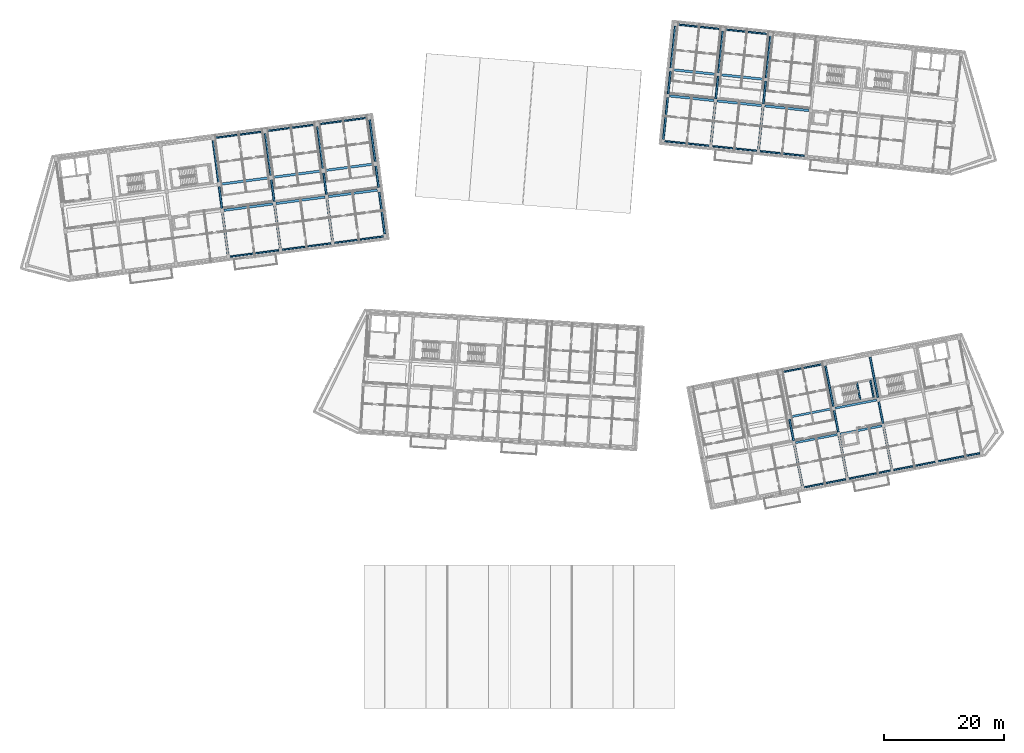
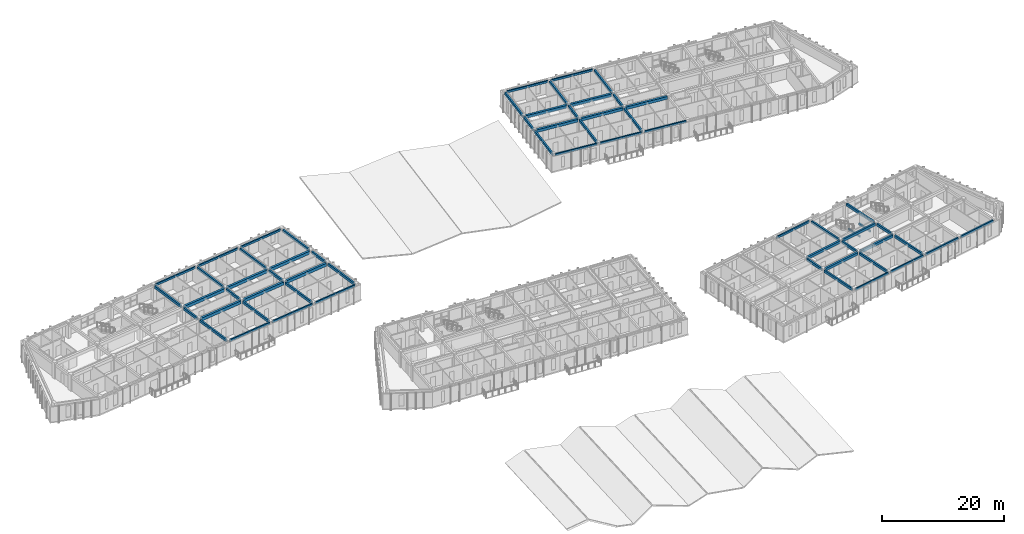
# One storey, part 8 of 74: 62 beams.
"""IFC4 building model written with IfcOpenShell, lengths in metres."""

from ifc_helpers import new_model, si_unit, direction, frame, origin, origin_2d, place, context, subcontext, project, spatial, rectangle, extrude, material, material_profile, profile_set, type_object, element, save


model = new_model("IFC4")

# Units and contexts
model_context = context("Model", 3, precision=1e-05, world=origin(), true_north=direction((0.0, 1.0)))
body_context = subcontext(model_context, "Body", "Model", "MODEL_VIEW")
ifc_project = project(units=[si_unit("LENGTHUNIT", "METRE"), si_unit("AREAUNIT", "SQUARE_METRE"), si_unit("VOLUMEUNIT", "CUBIC_METRE"), si_unit("PLANEANGLEUNIT", "RADIAN"), si_unit("MASSUNIT", "GRAM", prefix="KILO")], contexts=[model_context])

# Site, building, storey
site_placement = place(None, origin())
site = spatial("IfcSite", under=ifc_project, at=site_placement, CompositionType="ELEMENT")
building_placement = place(site_placement, origin())
building = spatial("IfcBuilding", under=site, at=building_placement, Name="Kestramere Prow Commons", CompositionType="ELEMENT")
storey_placement = place(building_placement, frame((0.0, 0.0, 11.64990234375)))
storey = spatial("IfcBuildingStorey", under=building, at=storey_placement, Name="L03", CompositionType="ELEMENT", Elevation=11.64990234375)

# Beams
ifc_material_1 = material(Name="Precast concrete C40/50", Category="concrete")
ifc_material_profile_1 = material_profile(ifc_material_1, rectangle(XDim=0.39990234375, YDim=0.60009765625, at=origin_2d()), Name="PC-BM 400x600")
ifc_profile_set_1 = profile_set([ifc_material_profile_1], Name="Precast concrete C40/50")
beam_type_1 = type_object("IfcBeamType", Name="BM-A1 PC-BM 400x600", PredefinedType="BEAM", material=ifc_profile_set_1)
beam_1_placement = place(storey_placement, frame((36.628662109375, 83.215087890625, 2.7001953125), z_axis=(0.991443917843, 0.130533358852, 0.0), x_axis=(-0.130533358852, 0.991443917843, 0.0)))
element("IfcBeam", 1, at=beam_1_placement, inside=storey, type_object=beam_type_1, Name="Block A L03 Longitudinal Beam 2-4", PredefinedType="BEAM", context=body_context, shape_type="SweptSolid", body=[
    extrude(rectangle(XDim=0.39990234375, YDim=0.60009765625, at=origin_2d()), origin(), (0.0, 0.0, 1.0), 8.25),
])
beam_2_placement = place(storey_placement, frame((45.353515625, 84.36376953125, 2.7001953125), z_axis=(0.991447243185, 0.130508099291, 0.0), x_axis=(-0.130508099291, 0.991447243185, 0.0)))
element("IfcBeam", 2, at=beam_2_placement, inside=storey, type_object=beam_type_1, Name="Block A L03 Longitudinal Beam 2-5", PredefinedType="BEAM", context=body_context, shape_type="SweptSolid", body=[
    extrude(rectangle(XDim=0.39990234375, YDim=0.60009765625, at=origin_2d()), origin(), (0.0, 0.0, 1.0), 8.249755859375),
])
for number, where, z_axis, x_axis, name in (
    (3, (54.078125, 85.51220703125, 2.7001953125), (0.991443917843, 0.130533358852, 0.0), (-0.130533358852, 0.991443917843, 0.0), "Block A L03 Longitudinal Beam 2-6"),
    (4, (36.054443359375, 87.577392578125, 2.7001953125), (0.991443917843, 0.130533358852, 0.0), (-0.130533358852, 0.991443917843, 0.0), "Block A L03 Longitudinal Beam 3-4"),
    (5, (44.779052734375, 88.72607421875, 2.7001953125), (0.991443917843, 0.130533358852, 0.0), (-0.130533358852, 0.991443917843, 0.0), "Block A L03 Longitudinal Beam 3-5"),
):
    element("IfcBeam", number, at=place(storey_placement, frame(where, z_axis=z_axis, x_axis=x_axis)), inside=storey, type_object=beam_type_1, Name=name, PredefinedType="BEAM", context=body_context, shape_type="SweptSolid", body=[
        extrude(rectangle(XDim=0.39990234375, YDim=0.60009765625, at=origin_2d()), origin(), (0.0, 0.0, 1.0), 8.25),
    ])
beam_3_placement = place(storey_placement, frame((53.50390625, 89.874755859375, 2.7001953125), z_axis=(0.991447243185, 0.130508099291, 0.0), x_axis=(-0.130508099291, 0.991447243185, 0.0)))
element("IfcBeam", 6, at=beam_3_placement, inside=storey, type_object=beam_type_1, Name="Block A L03 Longitudinal Beam 3-6", PredefinedType="BEAM", context=body_context, shape_type="SweptSolid", body=[
    extrude(rectangle(XDim=0.39990234375, YDim=0.60009765625, at=origin_2d()), origin(), (0.0, 0.0, 1.0), 8.249755859375),
])
ifc_material_profile_2 = material_profile(ifc_material_1, rectangle(XDim=0.39990234375, YDim=0.550048828125, at=origin_2d()), Name="PC-BM 400x550")
ifc_profile_set_2 = profile_set([ifc_material_profile_2], Name="Precast concrete C40/50")
beam_type_2 = type_object("IfcBeamType", Name="BM-B1 PC-BM 400x550", PredefinedType="BEAM", material=ifc_profile_set_2)
for number, where, z_axis, x_axis, name in (
    (7, (111.06787109375, 102.32958984375, 2.72509765625), (0.994520884665, -0.104538079019, 0.0), (0.104538079019, 0.994520884665, 0.0), "Block B L03 Longitudinal Beam 2-1"),
    (8, (119.024169921875, 101.493408203125, 2.72509765625), (0.994520884665, -0.104538079019, 0.0), (0.104538079019, 0.994520884665, 0.0), "Block B L03 Longitudinal Beam 2-2"),
    (9, (126.980224609375, 100.6572265625, 2.72509765625), (0.994520884665, -0.104538079019, 0.0), (0.104538079019, 0.994520884665, 0.0), "Block B L03 Longitudinal Beam 2-3"),
    (10, (111.52783203125, 106.70556640625, 2.72509765625), (0.994520884665, -0.104538079019, 0.0), (0.104538079019, 0.994520884665, 0.0), "Block B L03 Longitudinal Beam 3-1"),
    (11, (119.484130859375, 105.869384765625, 2.72509765625), (0.994520884665, -0.104538079019, 0.0), (0.104538079019, 0.994520884665, 0.0), "Block B L03 Longitudinal Beam 3-2"),
):
    element("IfcBeam", number, at=place(storey_placement, frame(where, z_axis=z_axis, x_axis=x_axis)), inside=storey, type_object=beam_type_2, Name=name, PredefinedType="BEAM", context=body_context, shape_type="SweptSolid", body=[
        extrude(rectangle(XDim=0.39990234375, YDim=0.550048828125, at=origin_2d()), origin(), (0.0, 0.0, 1.0), 7.449951171875),
    ])
ifc_material_profile_3 = material_profile(ifc_material_1, rectangle(XDim=0.35009765625, YDim=0.5, at=origin_2d()), Name="PC-BM 350x500")
ifc_profile_set_3 = profile_set([ifc_material_profile_3], Name="Precast concrete C40/50")
beam_type_3 = type_object("IfcBeamType", Name="BM-D1 PC-BM 350x500", PredefinedType="BEAM", material=ifc_profile_set_3)
beam_4_placement = place(storey_placement, frame((132.115966796875, 44.408447265625, 2.75), z_axis=(0.981627020401, 0.190809834175, 0.0), x_axis=(-0.190809834175, 0.981627020401, 0.0)))
element("IfcBeam", 12, at=beam_4_placement, inside=storey, type_object=beam_type_3, Name="Block D L03 Longitudinal Beam 2-3", PredefinedType="BEAM", context=body_context, shape_type="SweptSolid", body=[
    extrude(rectangle(XDim=0.35009765625, YDim=0.5, at=origin_2d()), origin(), (0.0, 0.0, 1.0), 7.099853515625),
])
for number, where, z_axis, x_axis, name in (
    (13, (139.576416015625, 45.8583984375, 2.75), (0.981620579181, 0.190842968244, 0.0), (-0.190842968244, 0.981620579181, 0.0), "Block D L03 Longitudinal Beam 2-4"),
    (14, (131.2763671875, 48.7275390625, 2.75), (0.98162827229, 0.190803393686, 0.0), (-0.190803393686, 0.98162827229, 0.0), "Block D L03 Longitudinal Beam 3-3"),
):
    element("IfcBeam", number, at=place(storey_placement, frame(where, z_axis=z_axis, x_axis=x_axis)), inside=storey, type_object=beam_type_3, Name=name, PredefinedType="BEAM", context=body_context, shape_type="SweptSolid", body=[
        extrude(rectangle(XDim=0.35009765625, YDim=0.5, at=origin_2d()), origin(), (0.0, 0.0, 1.0), 7.10009765625),
    ])
beam_5_placement = place(storey_placement, frame((138.73681640625, 50.177734375, 2.75), z_axis=(0.981627020401, 0.190809834175, 0.0), x_axis=(-0.190809834175, 0.981627020401, 0.0)))
element("IfcBeam", 15, at=beam_5_placement, inside=storey, type_object=beam_type_3, Name="Block D L03 Longitudinal Beam 3-4", PredefinedType="BEAM", context=body_context, shape_type="SweptSolid", body=[
    extrude(rectangle(XDim=0.35009765625, YDim=0.5, at=origin_2d()), origin(), (0.0, 0.0, 1.0), 7.099853515625),
])
ifc_material_2 = material(Name="Concrete C40/50", Category="concrete")
ifc_material_profile_4 = material_profile(ifc_material_2, rectangle(XDim=0.25, YDim=0.35009765625, at=origin_2d()), Name="PC-BM 250x350")
ifc_profile_set_4 = profile_set([ifc_material_profile_4], Name="Concrete C40/50")
beam_type_4 = type_object("IfcBeamType", Name="BM-ST-TRIM", PredefinedType="BEAM", material=ifc_profile_set_4)
beam_6_placement = place(storey_placement, frame((142.92529296875, 51.53173828125, 1.25), z_axis=(-0.190752078966, 0.981638245165, 0.0), x_axis=(-0.981638245165, -0.190752078966, 0.0)))
element("IfcBeam", 16, at=beam_6_placement, inside=storey, type_object=beam_type_4, Name="ST-D1 L03 Landing Trimmer Beam 1A", PredefinedType="BEAM", context=body_context, shape_type="SweptSolid", body=[
    extrude(rectangle(XDim=0.25, YDim=0.35009765625, at=origin_2d()), origin(), (0.0, 0.0, 1.0), 2.889892578125),
])
beam_7_placement = place(storey_placement, frame((145.16357421875, 51.966796875, 1.25), z_axis=(-0.190833481473, 0.981622423516, 0.0), x_axis=(-0.981622423516, -0.190833481473, 0.0)))
element("IfcBeam", 17, at=beam_7_placement, inside=storey, type_object=beam_type_4, Name="ST-D1 L03 Landing Trimmer Beam 1B", PredefinedType="BEAM", context=body_context, shape_type="SweptSolid", body=[
    extrude(rectangle(XDim=0.25, YDim=0.35009765625, at=origin_2d()), origin(), (0.0, 0.0, 1.0), 2.89013671875),
])
ifc_material_profile_5 = material_profile(ifc_material_1, rectangle(XDim=0.300048828125, YDim=0.5, at=origin_2d()), Name="PC-BM 300x500")
ifc_profile_set_5 = profile_set([ifc_material_profile_5], Name="Precast concrete C40/50")
beam_type_5 = type_object("IfcBeamType", Name="BM-TIE-01 PC-BM 300x500", PredefinedType="BEAM", material=ifc_profile_set_5)
beam_8_placement = place(storey_placement, frame((37.3251953125, 75.817626953125, 2.75), z_axis=(-0.130519009654, 0.99144580695, 0.0), x_axis=(-0.99144580695, -0.130519009654, 0.0)))
element("IfcBeam", 18, at=beam_8_placement, inside=storey, type_object=beam_type_5, Name="Block A L03 Transverse Beam 4-1", PredefinedType="BEAM", context=body_context, shape_type="SweptSolid", body=[
    extrude(rectangle(XDim=0.300048828125, YDim=0.5, at=origin_2d()), origin(), (0.0, 0.0, 1.0), 7.050048828125),
])
beam_9_placement = place(storey_placement, frame((36.30712890625, 83.551025390625, 2.75), z_axis=(-0.130568711427, 0.991439262687, 0.0), x_axis=(-0.991439262687, -0.130568711427, 0.0)))
element("IfcBeam", 19, at=beam_9_placement, inside=storey, type_object=beam_type_5, Name="Block A L03 Transverse Beam 4-2", PredefinedType="BEAM", context=body_context, shape_type="SweptSolid", body=[
    extrude(rectangle(XDim=0.300048828125, YDim=0.5, at=origin_2d()), origin(), (0.0, 0.0, 1.0), 3.64990234375),
])
for number, where, z_axis, x_axis, name in (
    (20, (35.732666015625, 87.913330078125, 2.75), (-0.130519009654, 0.99144580695, 0.0), (-0.99144580695, -0.130519009654, 0.0), "Block A L03 Transverse Beam 4-3"),
    (21, (46.0498046875, 76.96630859375, 2.75), (-0.130519009654, 0.99144580695, 0.0), (-0.99144580695, -0.130519009654, 0.0), "Block A L03 Transverse Beam 5-1"),
):
    element("IfcBeam", number, at=place(storey_placement, frame(where, z_axis=z_axis, x_axis=x_axis)), inside=storey, type_object=beam_type_5, Name=name, PredefinedType="BEAM", context=body_context, shape_type="SweptSolid", body=[
        extrude(rectangle(XDim=0.300048828125, YDim=0.5, at=origin_2d()), origin(), (0.0, 0.0, 1.0), 7.050048828125),
    ])
beam_10_placement = place(storey_placement, frame((45.03173828125, 84.699462890625, 2.75), z_axis=(-0.130494307047, 0.991449058615, 0.0), x_axis=(-0.991449058615, -0.130494307047, 0.0)))
element("IfcBeam", 22, at=beam_10_placement, inside=storey, type_object=beam_type_5, Name="Block A L03 Transverse Beam 5-2", PredefinedType="BEAM", context=body_context, shape_type="SweptSolid", body=[
    extrude(rectangle(XDim=0.300048828125, YDim=0.5, at=origin_2d()), origin(), (0.0, 0.0, 1.0), 3.650146484375),
])
beam_11_placement = place(storey_placement, frame((44.45751953125, 89.06201171875, 2.75), z_axis=(-0.130523490966, 0.991445216997, 0.0), x_axis=(-0.991445216997, -0.130523490966, 0.0)))
element("IfcBeam", 23, at=beam_11_placement, inside=storey, type_object=beam_type_5, Name="Block A L03 Transverse Beam 5-3", PredefinedType="BEAM", context=body_context, shape_type="SweptSolid", body=[
    extrude(rectangle(XDim=0.300048828125, YDim=0.5, at=origin_2d()), origin(), (0.0, 0.0, 1.0), 7.0498046875),
])
beam_12_placement = place(storey_placement, frame((54.774658203125, 78.114990234375, 2.75), z_axis=(-0.130519009654, 0.99144580695, 0.0), x_axis=(-0.99144580695, -0.130519009654, 0.0)))
element("IfcBeam", 24, at=beam_12_placement, inside=storey, type_object=beam_type_5, Name="Block A L03 Transverse Beam 6-1", PredefinedType="BEAM", context=body_context, shape_type="SweptSolid", body=[
    extrude(rectangle(XDim=0.300048828125, YDim=0.5, at=origin_2d()), origin(), (0.0, 0.0, 1.0), 7.050048828125),
])
beam_13_placement = place(storey_placement, frame((53.756591796875, 85.84814453125, 2.75), z_axis=(-0.13056005306, 0.991440402921, 0.0), x_axis=(-0.991440402921, -0.13056005306, 0.0)))
element("IfcBeam", 25, at=beam_13_placement, inside=storey, type_object=beam_type_5, Name="Block A L03 Transverse Beam 6-2", PredefinedType="BEAM", context=body_context, shape_type="SweptSolid", body=[
    extrude(rectangle(XDim=0.300048828125, YDim=0.5, at=origin_2d()), origin(), (0.0, 0.0, 1.0), 3.650146484375),
])
for number, where, z_axis, x_axis, name in (
    (26, (53.18212890625, 90.210693359375, 2.75), (-0.130523490966, 0.991445216997, 0.0), (-0.991445216997, -0.130523490966, 0.0), "Block A L03 Transverse Beam 6-3"),
    (27, (63.499267578125, 79.263671875, 2.75), (-0.130523490966, 0.991445216997, 0.0), (-0.991445216997, -0.130523490966, 0.0), "Block A L03 Transverse Beam 7-1"),
):
    element("IfcBeam", number, at=place(storey_placement, frame(where, z_axis=z_axis, x_axis=x_axis)), inside=storey, type_object=beam_type_5, Name=name, PredefinedType="BEAM", context=body_context, shape_type="SweptSolid", body=[
        extrude(rectangle(XDim=0.300048828125, YDim=0.5, at=origin_2d()), origin(), (0.0, 0.0, 1.0), 7.0498046875),
    ])
beam_14_placement = place(storey_placement, frame((62.481201171875, 86.996826171875, 2.75), z_axis=(-0.130494307047, 0.991449058615, 0.0), x_axis=(-0.991449058615, -0.130494307047, 0.0)))
element("IfcBeam", 28, at=beam_14_placement, inside=storey, type_object=beam_type_5, Name="Block A L03 Transverse Beam 7-2", PredefinedType="BEAM", context=body_context, shape_type="SweptSolid", body=[
    extrude(rectangle(XDim=0.300048828125, YDim=0.5, at=origin_2d()), origin(), (0.0, 0.0, 1.0), 3.650146484375),
])
for number, where, z_axis, x_axis, name in (
    (29, (61.906982421875, 91.359130859375, 2.75), (-0.130519009654, 0.99144580695, 0.0), (-0.99144580695, -0.130519009654, 0.0), "Block A L03 Transverse Beam 7-3"),
    (30, (110.02880859375, 95.073486328125, 2.75), (0.104511730475, 0.994523653913, 0.0), (-0.994523653913, 0.104511730475, 0.0), "Block B L03 Transverse Beam 1-1"),
):
    element("IfcBeam", number, at=place(storey_placement, frame(where, z_axis=z_axis, x_axis=x_axis)), inside=storey, type_object=beam_type_5, Name=name, PredefinedType="BEAM", context=body_context, shape_type="SweptSolid", body=[
        extrude(rectangle(XDim=0.300048828125, YDim=0.5, at=origin_2d()), origin(), (0.0, 0.0, 1.0), 7.050048828125),
    ])
beam_15_placement = place(storey_placement, frame((110.8232421875, 102.6318359375, 2.75), z_axis=(0.104506528251, 0.994524200587, 0.0), x_axis=(-0.994524200587, 0.104506528251, 0.0)))
element("IfcBeam", 31, at=beam_15_placement, inside=storey, type_object=beam_type_5, Name="Block B L03 Transverse Beam 1-2", PredefinedType="BEAM", context=body_context, shape_type="SweptSolid", body=[
    extrude(rectangle(XDim=0.300048828125, YDim=0.5, at=origin_2d()), origin(), (0.0, 0.0, 1.0), 3.849853515625),
])
for number, where, z_axis, x_axis, name in (
    (32, (111.283203125, 107.0078125, 2.75), (0.104515329964, 0.994523275646, 0.0), (-0.994523275646, 0.104515329964, 0.0), "Block B L03 Transverse Beam 1-3"),
    (33, (117.98486328125, 94.2373046875, 2.75), (0.104549582151, 0.994519675458, 0.0), (-0.994519675458, 0.104549582151, 0.0), "Block B L03 Transverse Beam 2-1"),
):
    element("IfcBeam", number, at=place(storey_placement, frame(where, z_axis=z_axis, x_axis=x_axis)), inside=storey, type_object=beam_type_5, Name=name, PredefinedType="BEAM", context=body_context, shape_type="SweptSolid", body=[
        extrude(rectangle(XDim=0.300048828125, YDim=0.5, at=origin_2d()), origin(), (0.0, 0.0, 1.0), 7.0498046875),
    ])
beam_16_placement = place(storey_placement, frame((118.779296875, 101.795654296875, 2.75), z_axis=(0.104569249198, 0.994517607749, 0.0), x_axis=(-0.994517607749, 0.104569249198, 0.0)))
element("IfcBeam", 34, at=beam_16_placement, inside=storey, type_object=beam_type_5, Name="Block B L03 Transverse Beam 2-2", PredefinedType="BEAM", context=body_context, shape_type="SweptSolid", body=[
    extrude(rectangle(XDim=0.300048828125, YDim=0.5, at=origin_2d()), origin(), (0.0, 0.0, 1.0), 3.849853515625),
])
for number, where, z_axis, x_axis, name in (
    (35, (119.2392578125, 106.171630859375, 2.75), (0.104515329964, 0.994523275646, 0.0), (-0.994523275646, 0.104515329964, 0.0), "Block B L03 Transverse Beam 2-3"),
    (36, (125.941162109375, 93.401123046875, 2.75), (0.104515329964, 0.994523275646, 0.0), (-0.994523275646, 0.104515329964, 0.0), "Block B L03 Transverse Beam 3-1"),
):
    element("IfcBeam", number, at=place(storey_placement, frame(where, z_axis=z_axis, x_axis=x_axis)), inside=storey, type_object=beam_type_5, Name=name, PredefinedType="BEAM", context=body_context, shape_type="SweptSolid", body=[
        extrude(rectangle(XDim=0.300048828125, YDim=0.5, at=origin_2d()), origin(), (0.0, 0.0, 1.0), 7.0498046875),
    ])
beam_17_placement = place(storey_placement, frame((126.735595703125, 100.95947265625, 2.75), z_axis=(0.104506528251, 0.994524200587, 0.0), x_axis=(-0.994524200587, 0.104506528251, 0.0)))
element("IfcBeam", 37, at=beam_17_placement, inside=storey, type_object=beam_type_5, Name="Block B L03 Transverse Beam 3-2", PredefinedType="BEAM", context=body_context, shape_type="SweptSolid", body=[
    extrude(rectangle(XDim=0.300048828125, YDim=0.5, at=origin_2d()), origin(), (0.0, 0.0, 1.0), 3.849853515625),
])
beam_18_placement = place(storey_placement, frame((127.195556640625, 105.335205078125, 2.75), z_axis=(0.104511730475, 0.994523653913, 0.0), x_axis=(-0.994523653913, 0.104511730475, 0.0)))
element("IfcBeam", 38, at=beam_18_placement, inside=storey, type_object=beam_type_5, Name="Block B L03 Transverse Beam 3-3", PredefinedType="BEAM", context=body_context, shape_type="SweptSolid", body=[
    extrude(rectangle(XDim=0.300048828125, YDim=0.5, at=origin_2d()), origin(), (0.0, 0.0, 1.0), 7.050048828125),
])
beam_19_placement = place(storey_placement, frame((133.25390625, 37.243896484375, 2.75), z_axis=(-0.190819465253, 0.981625148252, 0.0), x_axis=(-0.981625148252, -0.190819465253, 0.0)))
element("IfcBeam", 39, at=beam_19_placement, inside=storey, type_object=beam_type_5, Name="Block D L03 Transverse Beam 3-1", PredefinedType="BEAM", context=body_context, shape_type="SweptSolid", body=[
    extrude(rectangle(XDim=0.300048828125, YDim=0.5, at=origin_2d()), origin(), (0.0, 0.0, 1.0), 6.89990234375),
])
beam_20_placement = place(storey_placement, frame((131.8037109375, 44.704345703125, 2.75), z_axis=(-0.190770750015, 0.98163461682, 0.0), x_axis=(-0.98163461682, -0.190770750015, 0.0)))
element("IfcBeam", 40, at=beam_20_placement, inside=storey, type_object=beam_type_5, Name="Block D L03 Transverse Beam 3-2", PredefinedType="BEAM", context=body_context, shape_type="SweptSolid", body=[
    extrude(rectangle(XDim=0.300048828125, YDim=0.5, at=origin_2d()), origin(), (0.0, 0.0, 1.0), 3.69970703125),
])
beam_21_placement = place(storey_placement, frame((140.71435546875, 38.694091796875, 2.75), z_axis=(-0.190819465253, 0.981625148252, 0.0), x_axis=(-0.981625148252, -0.190819465253, 0.0)))
element("IfcBeam", 41, at=beam_21_placement, inside=storey, type_object=beam_type_5, Name="Block D L03 Transverse Beam 4-1", PredefinedType="BEAM", context=body_context, shape_type="SweptSolid", body=[
    extrude(rectangle(XDim=0.300048828125, YDim=0.5, at=origin_2d()), origin(), (0.0, 0.0, 1.0), 6.89990234375),
])
beam_22_placement = place(storey_placement, frame((139.26416015625, 46.154296875, 2.75), z_axis=(-0.190821974723, 0.981624660429, 0.0), x_axis=(-0.981624660429, -0.190821974723, 0.0)))
element("IfcBeam", 42, at=beam_22_placement, inside=storey, type_object=beam_type_5, Name="Block D L03 Transverse Beam 4-2", PredefinedType="BEAM", context=body_context, shape_type="SweptSolid", body=[
    extrude(rectangle(XDim=0.300048828125, YDim=0.5, at=origin_2d()), origin(), (0.0, 0.0, 1.0), 3.699951171875),
])
beam_23_placement = place(storey_placement, frame((138.424560546875, 50.4736328125, 2.75), z_axis=(-0.190819465253, 0.981625148252, 0.0), x_axis=(-0.981625148252, -0.190819465253, 0.0)))
element("IfcBeam", 43, at=beam_23_placement, inside=storey, type_object=beam_type_5, Name="Block D L03 Transverse Beam 4-3", PredefinedType="BEAM", context=body_context, shape_type="SweptSolid", body=[
    extrude(rectangle(XDim=0.300048828125, YDim=0.5, at=origin_2d()), origin(), (0.0, 0.0, 1.0), 6.89990234375),
])
beam_24_placement = place(storey_placement, frame((148.1748046875, 40.14404296875, 2.75), z_axis=(-0.190812837813, 0.981626436546, 0.0), x_axis=(-0.981626436546, -0.190812837813, 0.0)))
element("IfcBeam", 44, at=beam_24_placement, inside=storey, type_object=beam_type_5, Name="Block D L03 Transverse Beam 5-1", PredefinedType="BEAM", context=body_context, shape_type="SweptSolid", body=[
    extrude(rectangle(XDim=0.300048828125, YDim=0.5, at=origin_2d()), origin(), (0.0, 0.0, 1.0), 6.900146484375),
])
beam_25_placement = place(storey_placement, frame((146.724609375, 47.6044921875, 2.75), z_axis=(-0.190821974723, 0.981624660429, 0.0), x_axis=(-0.981624660429, -0.190821974723, 0.0)))
element("IfcBeam", 45, at=beam_25_placement, inside=storey, type_object=beam_type_5, Name="Block D L03 Transverse Beam 5-2", PredefinedType="BEAM", context=body_context, shape_type="SweptSolid", body=[
    extrude(rectangle(XDim=0.300048828125, YDim=0.5, at=origin_2d()), origin(), (0.0, 0.0, 1.0), 3.699951171875),
])
beam_26_placement = place(storey_placement, frame((145.885009765625, 51.923583984375, 2.75), z_axis=(-0.190812837813, 0.981626436546, 0.0), x_axis=(-0.981626436546, -0.190812837813, 0.0)))
element("IfcBeam", 46, at=beam_26_placement, inside=storey, type_object=beam_type_5, Name="Block D L03 Transverse Beam 5-3", PredefinedType="BEAM", context=body_context, shape_type="SweptSolid", body=[
    extrude(rectangle(XDim=0.300048828125, YDim=0.5, at=origin_2d()), origin(), (0.0, 0.0, 1.0), 6.900146484375),
])
ifc_material_profile_6 = material_profile(ifc_material_1, rectangle(XDim=0.25, YDim=0.39990234375, at=origin_2d()), Name="PC-SP 250x400")
ifc_profile_set_6 = profile_set([ifc_material_profile_6], Name="Precast concrete C40/50")
beam_type_6 = type_object("IfcBeamType", Name="SP-EXT-01 PC-SP 250x400", PredefinedType="SPANDREL", material=ifc_profile_set_6)
for number, where, z_axis, x_axis, name in (
    (47, (37.646728515625, 75.481689453125, 2.800048828125), (0.991443917843, 0.130533358852, 0.0), (-0.130533358852, 0.991443917843, 0.0), "Block A L03 Longitudinal Beam 1-4"),
    (48, (46.37158203125, 76.63037109375, 2.800048828125), (0.991443917843, 0.130533358852, 0.0), (-0.130533358852, 0.991443917843, 0.0), "Block A L03 Longitudinal Beam 1-5"),
    (49, (55.09619140625, 77.779052734375, 2.800048828125), (0.991443917843, 0.130533358852, 0.0), (-0.130533358852, 0.991443917843, 0.0), "Block A L03 Longitudinal Beam 1-6"),
):
    element("IfcBeam", number, at=place(storey_placement, frame(where, z_axis=z_axis, x_axis=x_axis)), inside=storey, type_object=beam_type_6, Name=name, PredefinedType="SPANDREL", context=body_context, shape_type="SweptSolid", body=[
        extrude(rectangle(XDim=0.25, YDim=0.39990234375, at=origin_2d()), origin(), (0.0, 0.0, 1.0), 8.25),
    ])
beam_27_placement = place(storey_placement, frame((35.036376953125, 95.310791015625, 2.800048828125), z_axis=(0.991447243185, 0.130508099291, 0.0), x_axis=(-0.130508099291, 0.991447243185, 0.0)))
element("IfcBeam", 50, at=beam_27_placement, inside=storey, type_object=beam_type_6, Name="Block A L03 Longitudinal Beam 4-4", PredefinedType="SPANDREL", context=body_context, shape_type="SweptSolid", body=[
    extrude(rectangle(XDim=0.25, YDim=0.39990234375, at=origin_2d()), origin(), (0.0, 0.0, 1.0), 8.249755859375),
])
for number, where, z_axis, x_axis, name in (
    (51, (43.760986328125, 96.459228515625, 2.800048828125), (0.991443917843, 0.130533358852, 0.0), (-0.130533358852, 0.991443917843, 0.0), "Block A L03 Longitudinal Beam 4-5"),
    (52, (52.485595703125, 97.60791015625, 2.800048828125), (0.991443917843, 0.130533358852, 0.0), (-0.130533358852, 0.991443917843, 0.0), "Block A L03 Longitudinal Beam 4-6"),
):
    element("IfcBeam", number, at=place(storey_placement, frame(where, z_axis=z_axis, x_axis=x_axis)), inside=storey, type_object=beam_type_6, Name=name, PredefinedType="SPANDREL", context=body_context, shape_type="SweptSolid", body=[
        extrude(rectangle(XDim=0.25, YDim=0.39990234375, at=origin_2d()), origin(), (0.0, 0.0, 1.0), 8.25),
    ])
for number, where, z_axis, x_axis, name in (
    (53, (110.2734375, 94.771240234375, 2.800048828125), (0.994520884665, -0.104538079019, 0.0), (0.104538079019, 0.994520884665, 0.0), "Block B L03 Longitudinal Beam 1-1"),
    (54, (118.229736328125, 93.93505859375, 2.800048828125), (0.994520884665, -0.104538079019, 0.0), (0.104538079019, 0.994520884665, 0.0), "Block B L03 Longitudinal Beam 1-2"),
    (55, (126.185791015625, 93.098876953125, 2.800048828125), (0.994520884665, -0.104538079019, 0.0), (0.104538079019, 0.994520884665, 0.0), "Block B L03 Longitudinal Beam 1-3"),
    (56, (112.322265625, 114.263916015625, 2.800048828125), (0.994520884665, -0.104538079019, 0.0), (0.104538079019, 0.994520884665, 0.0), "Block B L03 Longitudinal Beam 4-1"),
    (57, (120.2783203125, 113.427734375, 2.800048828125), (0.994520884665, -0.104538079019, 0.0), (0.104538079019, 0.994520884665, 0.0), "Block B L03 Longitudinal Beam 4-2"),
):
    element("IfcBeam", number, at=place(storey_placement, frame(where, z_axis=z_axis, x_axis=x_axis)), inside=storey, type_object=beam_type_6, Name=name, PredefinedType="SPANDREL", context=body_context, shape_type="SweptSolid", body=[
        extrude(rectangle(XDim=0.25, YDim=0.39990234375, at=origin_2d()), origin(), (0.0, 0.0, 1.0), 7.449951171875),
    ])
for number, where, z_axis, x_axis, name in (
    (58, (133.566162109375, 36.947998046875, 2.800048828125), (0.981627020401, 0.190809834175, 0.0), (-0.190809834175, 0.981627020401, 0.0), "Block D L03 Longitudinal Beam 1-3"),
    (59, (141.026611328125, 38.398193359375, 2.800048828125), (0.981627020401, 0.190809834175, 0.0), (-0.190809834175, 0.981627020401, 0.0), "Block D L03 Longitudinal Beam 1-4"),
):
    element("IfcBeam", number, at=place(storey_placement, frame(where, z_axis=z_axis, x_axis=x_axis)), inside=storey, type_object=beam_type_6, Name=name, PredefinedType="SPANDREL", context=body_context, shape_type="SweptSolid", body=[
        extrude(rectangle(XDim=0.25, YDim=0.39990234375, at=origin_2d()), origin(), (0.0, 0.0, 1.0), 7.099853515625),
    ])
beam_28_placement = place(storey_placement, frame((148.48681640625, 39.848388671875, 2.800048828125), z_axis=(0.98162827229, 0.190803393686, 0.0), x_axis=(-0.190803393686, 0.98162827229, 0.0)))
element("IfcBeam", 60, at=beam_28_placement, inside=storey, type_object=beam_type_6, Name="Block D L03 Longitudinal Beam 1-5", PredefinedType="SPANDREL", context=body_context, shape_type="SweptSolid", body=[
    extrude(rectangle(XDim=0.25, YDim=0.39990234375, at=origin_2d()), origin(), (0.0, 0.0, 1.0), 7.10009765625),
])
beam_29_placement = place(storey_placement, frame((155.947265625, 41.29833984375, 2.800048828125), z_axis=(0.981627020401, 0.190809834175, 0.0), x_axis=(-0.190809834175, 0.981627020401, 0.0)))
element("IfcBeam", 61, at=beam_29_placement, inside=storey, type_object=beam_type_6, Name="Block D L03 Longitudinal Beam 1-6", PredefinedType="SPANDREL", context=body_context, shape_type="SweptSolid", body=[
    extrude(rectangle(XDim=0.25, YDim=0.39990234375, at=origin_2d()), origin(), (0.0, 0.0, 1.0), 7.099853515625),
])
beam_30_placement = place(storey_placement, frame((129.826171875, 56.18798828125, 2.800048828125), z_axis=(0.98162827229, 0.190803393686, 0.0), x_axis=(-0.190803393686, 0.98162827229, 0.0)))
element("IfcBeam", 62, at=beam_30_placement, inside=storey, type_object=beam_type_6, Name="Block D L03 Longitudinal Beam 4-3", PredefinedType="SPANDREL", context=body_context, shape_type="SweptSolid", body=[
    extrude(rectangle(XDim=0.25, YDim=0.39990234375, at=origin_2d()), origin(), (0.0, 0.0, 1.0), 7.10009765625),
])

save(model, "model.ifc")
